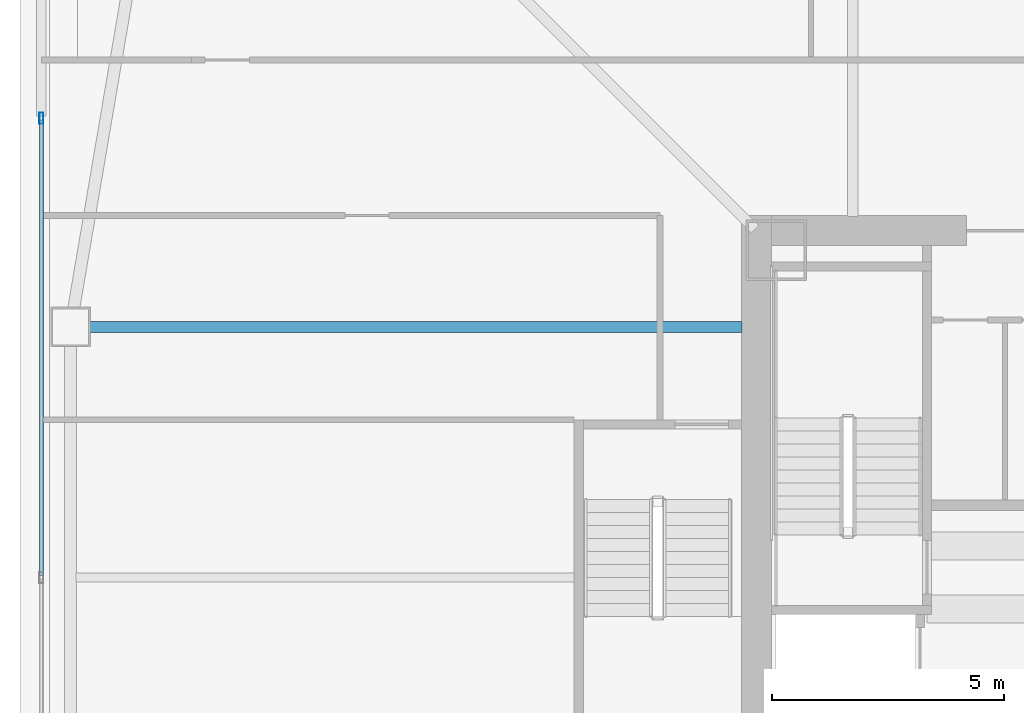
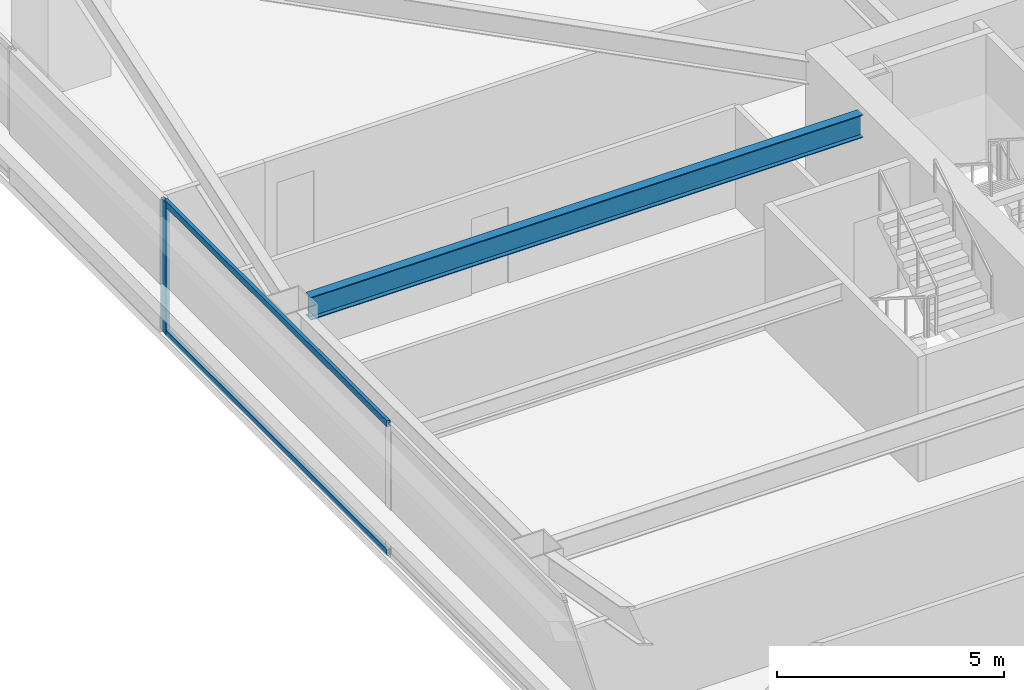
# One storey, part 12 of 48: 3 members, 1 beam, 1 element without a shape of its own.
"""IFC4 building model written with IfcOpenShell, lengths in metres."""

from ifc_helpers import new_model, si_unit, direction, frame, origin, origin_2d, place, context, subcontext, project, spatial, hollow_rectangle, i_section, extrude, material, material_profile, profile_set, type_object, element, aggregate, save


model = new_model("IFC4")

# Units and contexts
model_context = context("Model", 3, precision=1e-05, world=origin(), true_north=direction((0.0, 1.0)))
body_context = subcontext(model_context, "Body", "Model", "MODEL_VIEW")
ifc_project = project(units=[si_unit("LENGTHUNIT", "METRE"), si_unit("AREAUNIT", "SQUARE_METRE"), si_unit("VOLUMEUNIT", "CUBIC_METRE"), si_unit("PLANEANGLEUNIT", "RADIAN"), si_unit("MASSUNIT", "GRAM", prefix="KILO")], contexts=[model_context])

# Site, building, storey
site_placement = place(None, origin())
site = spatial("IfcSite", under=ifc_project, at=site_placement, CompositionType="ELEMENT")
building_placement = place(site_placement, origin())
building = spatial("IfcBuilding", under=site, at=building_placement, Name="Tashvorn Skyway Center", CompositionType="ELEMENT")
storey_placement = place(building_placement, frame((0.0, 0.0, 53.0)))
storey = spatial("IfcBuildingStorey", under=building, at=storey_placement, Name="L13", CompositionType="ELEMENT", Elevation=53.0)

# Beam
ifc_material_1 = material(Name="Steel ASTM A992 Grade 50", Category="steel")
ifc_material_profile_1 = material_profile(ifc_material_1, i_section(OverallWidth=0.22998046875, OverallDepth=0.616943359375, WebThickness=0.01318359375, FlangeThickness=0.022216796875, at=origin_2d()), Name="W24X94")
ifc_profile_set_1 = profile_set([ifc_material_profile_1], Name="Steel ASTM A992 Grade 50")
beam_type = type_object("IfcBeamType", Name="BM-BEAM-W24X94", PredefinedType="BEAM", material=ifc_profile_set_1)
beam_placement = place(storey_placement, frame((20.169921875, 37.39990234375, 3.04150390625), z_axis=(1.0, 0.0, 0.0), x_axis=(0.0, 1.0, 0.0)))
element("IfcBeam", 1, at=beam_placement, inside=storey, type_object=beam_type, Name="Tower 1 L13 Primary Floor Girder FC-W1", PredefinedType="BEAM", context=body_context, shape_type="SweptSolid", body=[
    extrude(i_section(OverallWidth=0.22998046875, OverallDepth=0.616943359375, WebThickness=0.01318359375, FlangeThickness=0.022216796875, at=origin_2d()), origin(), (0.0, 0.0, 1.0), 14.050048828125),
])

# Curtain wall, members
ifc_material_2 = material(Name="Thermally broken bronze-anodized aluminium 6063-T6", Category="aluminium")
curtain_wall_type = type_object("IfcCurtainWallType", Name="CW-CW-Z1", PredefinedType="NOTDEFINED", material=ifc_material_2)
curtain_wall_placement = place(storey_placement, origin())
curtain_wall = element("IfcCurtainWall", 2, at=curtain_wall_placement, inside=storey, type_object=curtain_wall_type, Name="Tower 1 L13 West Unitised Curtain Wall Glazing Group 2", PredefinedType="NOTDEFINED")
ifc_material_profile_2 = material_profile(ifc_material_2, hollow_rectangle(XDim=0.0849609375, YDim=0.239990234375, WallThickness=0.0048828125, at=origin_2d()), Name="ALU-MULL-85x240")
ifc_profile_set_2 = profile_set([ifc_material_profile_2], Name="Thermally broken bronze-anodized aluminium 6063-T6")
member_type_1 = type_object("IfcMemberType", Name="CWM-CW-Z1", PredefinedType="MULLION", material=ifc_profile_set_2)
member_1_placement = place(storey_placement, frame((19.1201171875, 41.8974609375, 0.0), z_axis=(0.0, 0.0, 1.0), x_axis=(-1.0, 0.0, 0.0)))
member_1 = element("IfcMember", 3, at=member_1_placement, type_object=member_type_1, Name="CW-Z1 mullion 3", PredefinedType="MULLION", context=body_context, shape_type="SweptSolid", body=[
    extrude(hollow_rectangle(XDim=0.0849609375, YDim=0.239990234375, WallThickness=0.0048828125, at=origin_2d()), origin(), (0.0, 0.0, 1.0), 3.550048828125),
])
ifc_material_profile_3 = material_profile(ifc_material_2, hollow_rectangle(XDim=0.0849609375, YDim=0.1650390625, WallThickness=0.0048828125, at=origin_2d()), Name="ALU-TRAN-85x165")
ifc_profile_set_3 = profile_set([ifc_material_profile_3], Name="Thermally broken bronze-anodized aluminium 6063-T6")
member_type_2 = type_object("IfcMemberType", Name="CWT-CW-Z1", PredefinedType="USERDEFINED", material=ifc_profile_set_3)
member_2_placement = place(storey_placement, frame((19.1201171875, 32.04248046875, 0.04248046875), z_axis=(0.0, 1.0, 0.0), x_axis=(-1.0, 0.0, 0.0)))
member_2 = element("IfcMember", 4, at=member_2_placement, type_object=member_type_2, Name="CW-Z1 transom 2.1", ObjectType="TRANSOM", PredefinedType="USERDEFINED", context=body_context, shape_type="SweptSolid", body=[
    extrude(hollow_rectangle(XDim=0.0849609375, YDim=0.1650390625, WallThickness=0.0048828125, at=origin_2d()), origin(), (0.0, 0.0, 1.0), 9.8125),
])
member_3_placement = place(storey_placement, frame((19.1201171875, 32.04248046875, 3.507568359375), z_axis=(0.0, 1.0, 0.0), x_axis=(-1.0, 0.0, 0.0)))
member_3 = element("IfcMember", 5, at=member_3_placement, type_object=member_type_2, Name="CW-Z1 transom 2.2", ObjectType="TRANSOM", PredefinedType="USERDEFINED", context=body_context, shape_type="SweptSolid", body=[
    extrude(hollow_rectangle(XDim=0.0849609375, YDim=0.1650390625, WallThickness=0.0048828125, at=origin_2d()), origin(), (0.0, 0.0, 1.0), 9.8125),
])
aggregate(curtain_wall, [member_1, member_2, member_3])

save(model, "model.ifc")
